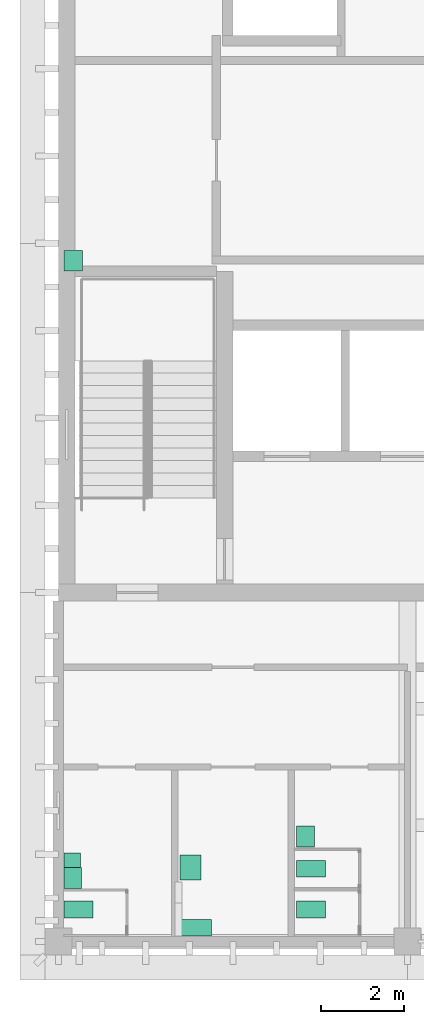
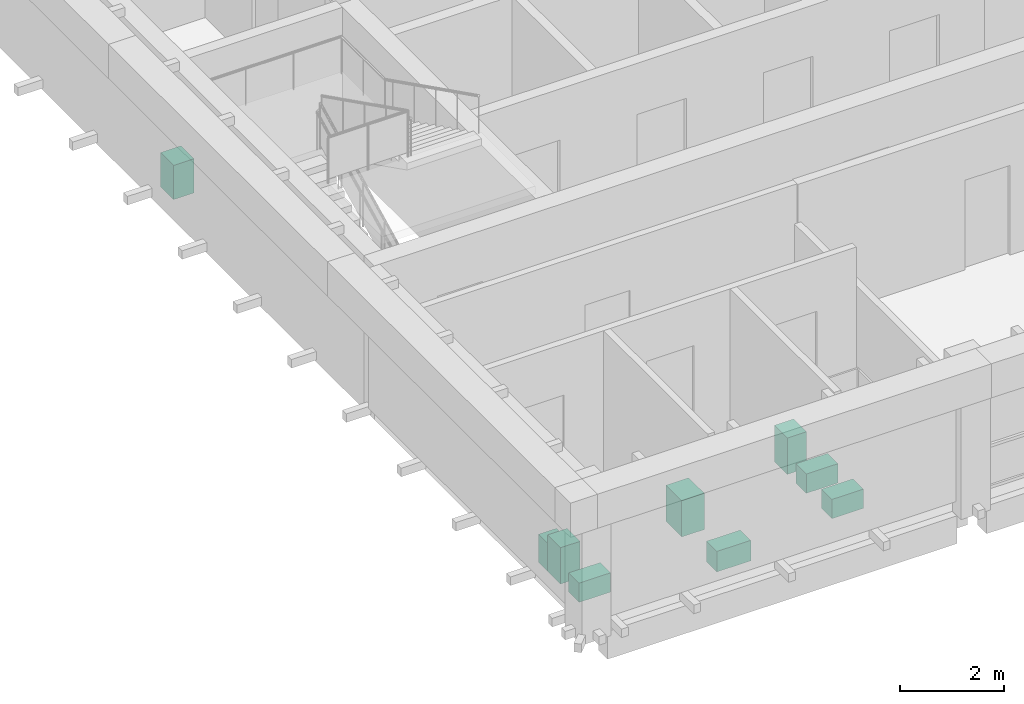
# One storey, part 10 of 10: 9 sanitary terminals.
"""IFC4 building model written with IfcOpenShell, lengths in metres."""

from ifc_helpers import new_model, si_unit, direction, frame, origin, origin_2d, place, context, subcontext, project, spatial, rectangle, extrude, material, type_object, element, save


model = new_model("IFC4")

# Units and contexts
model_context = context("Model", 3, precision=1e-05, world=origin(), true_north=direction((0.0, 1.0)))
body_context = subcontext(model_context, "Body", "Model", "MODEL_VIEW")
ifc_project = project(units=[si_unit("LENGTHUNIT", "METRE"), si_unit("AREAUNIT", "SQUARE_METRE"), si_unit("VOLUMEUNIT", "CUBIC_METRE"), si_unit("PLANEANGLEUNIT", "RADIAN"), si_unit("MASSUNIT", "GRAM", prefix="KILO")], contexts=[model_context])

# Site, building, storey
site_placement = place(None, origin())
site = spatial("IfcSite", under=ifc_project, at=site_placement, CompositionType="ELEMENT")
building_placement = place(site_placement, origin())
building = spatial("IfcBuilding", under=site, at=building_placement, Name="Rulbaag Community and Learning Centre", CompositionType="ELEMENT")
storey_placement = place(building_placement, frame((0.0, 0.0, 61.199951171875)))
storey = spatial("IfcBuildingStorey", under=building, at=storey_placement, Name="L16", CompositionType="ELEMENT", Elevation=61.199951171875)

# Sanitary terminals
ifc_material_1 = material(Name="Vitreous china", Category="ceramic")
sanitary_terminal_type_1 = type_object("IfcSanitaryTerminalType", Name="BS-500", PredefinedType="WASHHANDBASIN", material=ifc_material_1)
for number, where, z_axis, x_axis, name in (
    (1, (143.14501953125, 85.530029296875, 0.0), (0.0, 0.0, 1.0), (1.0, 0.0, 0.0), "Basin 111"),
    (2, (148.7451171875, 86.530029296875, 0.0), (0.0, 0.0, 1.0), (1.0, 0.0, 0.0), "Basin 112"),
):
    element("IfcSanitaryTerminal", number, at=place(storey_placement, frame(where, z_axis=z_axis, x_axis=x_axis)), inside=storey, type_object=sanitary_terminal_type_1, Name=name, PredefinedType="WASHHANDBASIN", context=body_context, shape_type="SweptSolid", body=[
        extrude(rectangle(XDim=0.429931640625, YDim=0.5, at=origin_2d()), origin(), (0.0, 0.0, 1.0), 0.85009765625),
    ])
sanitary_terminal_type_2 = type_object("IfcSanitaryTerminalType", Name="BS-AC-600", PredefinedType="WASHHANDBASIN", material=ifc_material_1)
sanitary_terminal_1_placement = place(storey_placement, frame((145.97998046875, 85.780029296875, 0.0), z_axis=(0.0, 0.0, 1.0), x_axis=(1.0, 0.0, 0.0)))
element("IfcSanitaryTerminal", 3, at=sanitary_terminal_1_placement, inside=storey, type_object=sanitary_terminal_type_2, Name="Basin 113", PredefinedType="WASHHANDBASIN", context=body_context, shape_type="SweptSolid", body=[
    extrude(rectangle(XDim=0.5, YDim=0.60009765625, at=origin_2d()), origin(), (0.0, 0.0, 1.0), 0.85009765625),
])
ifc_material_2 = material(Name="Stainless steel", Category="steel")
sanitary_terminal_type_3 = type_object("IfcSanitaryTerminalType", Name="SK-CL-500", PredefinedType="SINK", material=ifc_material_2)
sanitary_terminal_2_placement = place(storey_placement, frame((143.155029296875, 100.3798828125, 0.0), z_axis=(0.0, 0.0, 1.0), x_axis=(1.0, 0.0, 0.0)))
element("IfcSanitaryTerminal", 4, at=sanitary_terminal_2_placement, inside=storey, type_object=sanitary_terminal_type_3, Name="Sink 25", PredefinedType="SINK", context=body_context, shape_type="SweptSolid", body=[
    extrude(rectangle(XDim=0.449951171875, YDim=0.5, at=origin_2d()), origin(), (0.0, 0.0, 1.0), 0.800048828125),
])
sanitary_terminal_type_4 = type_object("IfcSanitaryTerminalType", Name="UR-350", PredefinedType="URINAL", material=ifc_material_1)
sanitary_terminal_3_placement = place(storey_placement, frame((143.1298828125, 85.955078125, 0.0), z_axis=(0.0, 0.0, 1.0), x_axis=(1.0, 0.0, 0.0)))
element("IfcSanitaryTerminal", 5, at=sanitary_terminal_3_placement, inside=storey, type_object=sanitary_terminal_type_4, Name="Urinal 166", PredefinedType="URINAL", context=body_context, shape_type="SweptSolid", body=[
    extrude(rectangle(XDim=0.39990234375, YDim=0.35009765625, at=origin_2d()), origin(), (0.0, 0.0, 1.0), 0.64990234375),
])
sanitary_terminal_type_5 = type_object("IfcSanitaryTerminalType", Name="WC-400", PredefinedType="TOILETPAN", material=ifc_material_1)
for number, where, z_axis, x_axis, name in (
    (6, (143.280029296875, 84.77001953125, 0.0), (0.0, 0.0, 1.0), (1.0, 0.0, 0.0), "WC 172"),
    (7, (148.8798828125, 84.77001953125, 0.0), (0.0, 0.0, 1.0), (1.0, 0.0, 0.0), "WC 173"),
    (8, (148.8798828125, 85.75, 0.0), (0.0, 0.0, 1.0), (1.0, 0.0, 0.0), "WC 174"),
):
    element("IfcSanitaryTerminal", number, at=place(storey_placement, frame(where, z_axis=z_axis, x_axis=x_axis)), inside=storey, type_object=sanitary_terminal_type_5, Name=name, PredefinedType="TOILETPAN", context=body_context, shape_type="SweptSolid", body=[
        extrude(rectangle(XDim=0.699951171875, YDim=0.39990234375, at=origin_2d()), origin(), (0.0, 0.0, 1.0), 0.449951171875),
    ])
sanitary_terminal_type_6 = type_object("IfcSanitaryTerminalType", Name="WC-AC-480", PredefinedType="TOILETPAN", material=ifc_material_1)
sanitary_terminal_4_placement = place(storey_placement, frame((146.10498046875, 84.330078125, 0.0), z_axis=(0.0, 0.0, 1.0), x_axis=(1.0, 0.0, 0.0)))
element("IfcSanitaryTerminal", 9, at=sanitary_terminal_4_placement, inside=storey, type_object=sanitary_terminal_type_6, Name="WC 175", PredefinedType="TOILETPAN", context=body_context, shape_type="SweptSolid", body=[
    extrude(rectangle(XDim=0.75, YDim=0.39990234375, at=origin_2d()), origin(), (0.0, 0.0, 1.0), 0.47998046875),
])

save(model, "model.ifc")
